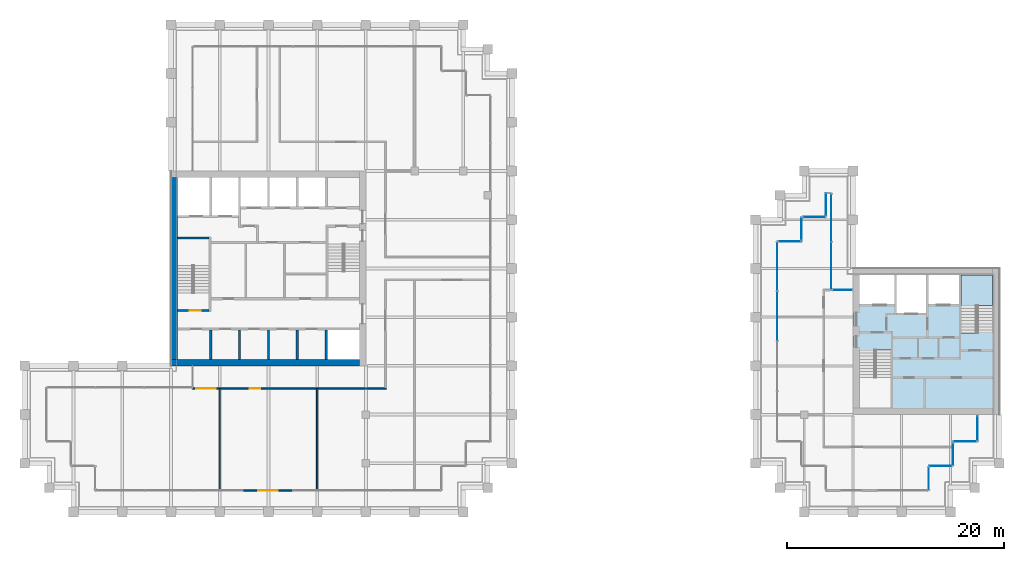
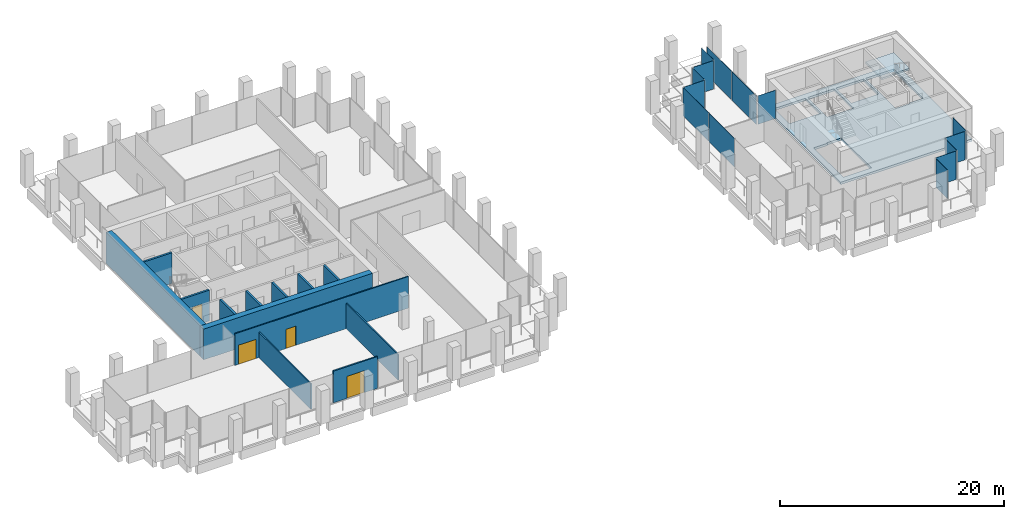
# One storey, part 35 of 40: 14 plates, 13 walls, 4 doors, 2 slabs, 4 openings, 13 elements without a shape of their own.
"""IFC4 building model written with IfcOpenShell, lengths in metres."""

from ifc_helpers import new_model, si_unit, direction, frame, frame_2d, origin, origin_2d, place, context, subcontext, project, spatial, polyline, rectangle, outline, extrude, material, layer, layer_set, type_object, element, fill, aggregate, save


model = new_model("IFC4")

# Units and contexts
model_context = context("Model", 3, precision=1e-05, world=origin(), true_north=direction((0.0, 1.0)))
body_context = subcontext(model_context, "Body", "Model", "MODEL_VIEW")
ifc_project = project(units=[si_unit("LENGTHUNIT", "METRE"), si_unit("AREAUNIT", "SQUARE_METRE"), si_unit("VOLUMEUNIT", "CUBIC_METRE"), si_unit("PLANEANGLEUNIT", "RADIAN"), si_unit("MASSUNIT", "GRAM", prefix="KILO")], contexts=[model_context])

# Site, building, storey
site_placement = place(None, origin())
site = spatial("IfcSite", under=ifc_project, at=site_placement, CompositionType="ELEMENT")
building_placement = place(site_placement, origin())
building = spatial("IfcBuilding", under=site, at=building_placement, Name="Altepetl Exchange Towers", CompositionType="ELEMENT")
storey_placement = place(building_placement, frame((0.0, 0.0, 161.800048828125)))
storey = spatial("IfcBuildingStorey", under=building, at=storey_placement, Name="L40", CompositionType="ELEMENT", Elevation=161.800048828125)

# Slab
ifc_material_1 = material(Name="Concrete C40/50", Category="concrete")
ifc_layer_1 = layer(ifc_material_1, 0.25)
ifc_layer_set_1 = layer_set([ifc_layer_1], Name="Concrete C40/50")
slab_type_1 = type_object("IfcSlabType", Name="Core floor slab 250", PredefinedType="FLOOR", material=ifc_layer_set_1)
slab_1_placement = place(storey_placement, frame((0.0, 0.0, -0.25)))
element("IfcSlab", 1, at=slab_1_placement, inside=storey, type_object=slab_type_1, Name="slab:B:L40:core0", PredefinedType="FLOOR", context=body_context, shape_type="SweptSolid", body=[
    extrude(outline(polyline([(103.5, 36.0), (117.0, 36.0), (117.0, 49.5), (103.5, 49.5), (103.5, 36.0)]), holes=[polyline([(107.0, 36.60009765625), (104.10009765625, 36.60009765625), (104.10009765625, 41.85009765625), (105.5, 41.85009765625), (105.5, 41.948974609375), (107.0, 41.948974609375), (107.0, 36.60009765625)]), polyline([(113.5, 48.89990234375), (116.39990234375, 48.89990234375), (116.39990234375, 43.64990234375), (115.0, 43.64990234375), (115.0, 43.551025390625), (113.5, 43.551025390625), (113.5, 48.89990234375)]), polyline([(107.532958984375, 45.39990234375), (107.532958984375, 48.89990234375), (110.26708984375, 48.89990234375), (110.26708984375, 45.39990234375), (107.532958984375, 45.39990234375)]), polyline([(104.10009765625, 48.89990234375), (107.3330078125, 48.89990234375), (107.3330078125, 46.199951171875), (104.10009765625, 46.199951171875), (104.10009765625, 48.89990234375)]), polyline([(110.467041015625, 48.89990234375), (113.300048828125, 48.89990234375), (113.300048828125, 46.199951171875), (110.467041015625, 46.199951171875), (110.467041015625, 48.89990234375)])]), origin(), (0.0, 0.0, 1.0), 0.25),
])

# Curtain wall, plate
ifc_material_2 = material(Name="Aluminium 6063-T6 glazing", Category="aluminium")
curtain_wall_type = type_object("IfcCurtainWallType", Name="Loggia glazing system", PredefinedType="NOTDEFINED", material=ifc_material_2)
curtain_wall_1_placement = place(storey_placement, origin())
curtain_wall_1 = element("IfcCurtainWall", 2, at=curtain_wall_1_placement, inside=storey, type_object=curtain_wall_type, Name="CW1 run", PredefinedType="NOTDEFINED")
ifc_material_3 = material(Name="Glass 6-16-6 low emissivity", Category="glass")
ifc_layer_2 = layer(ifc_material_3, 0.028076171875)
ifc_layer_set_2 = layer_set([ifc_layer_2], Name="Glass 6-16-6 low emissivity")
plate_type = type_object("IfcPlateType", Name="Glass panel 28 double glazed", PredefinedType="CURTAIN_PANEL", material=ifc_layer_set_2)
plate_1_placement = place(storey_placement, frame((110.5, 30.08740234375, 0.0), z_axis=(0.0, 0.0, 1.0), x_axis=(0.0, 1.0, 0.0)))
plate_1 = element("IfcPlate", 3, at=plate_1_placement, type_object=plate_type, Name="GP1 panel", PredefinedType="CURTAIN_PANEL", context=body_context, shape_type="SweptSolid", body=[
    extrude(rectangle(XDim=2.054931640625, YDim=0.028076171875, at=origin_2d()), origin(), (0.0, 0.0, 1.0), 3.10009765625),
])
aggregate(curtain_wall_1, [plate_1])

curtain_wall_2_placement = place(storey_placement, origin())
curtain_wall_2 = element("IfcCurtainWall", 4, at=curtain_wall_2_placement, inside=storey, type_object=curtain_wall_type, Name="CW1 run", PredefinedType="NOTDEFINED")
plate_2_placement = place(storey_placement, frame((111.58740234375, 31.25, 0.0)))
plate_2 = element("IfcPlate", 5, at=plate_2_placement, type_object=plate_type, Name="GP1 panel", PredefinedType="CURTAIN_PANEL", context=body_context, shape_type="SweptSolid", body=[
    extrude(rectangle(XDim=2.054931640625, YDim=0.028076171875, at=origin_2d()), origin(), (0.0, 0.0, 1.0), 3.10009765625),
])
aggregate(curtain_wall_2, [plate_2])

curtain_wall_3_placement = place(storey_placement, origin())
curtain_wall_3 = element("IfcCurtainWall", 6, at=curtain_wall_3_placement, inside=storey, type_object=curtain_wall_type, Name="CW1 run", PredefinedType="NOTDEFINED")
plate_3_placement = place(storey_placement, frame((112.75, 32.33740234375, 0.0), z_axis=(0.0, 0.0, 1.0), x_axis=(0.0, 1.0, 0.0)))
plate_3 = element("IfcPlate", 7, at=plate_3_placement, type_object=plate_type, Name="GP1 panel", PredefinedType="CURTAIN_PANEL", context=body_context, shape_type="SweptSolid", body=[
    extrude(rectangle(XDim=2.054931640625, YDim=0.028076171875, at=origin_2d()), origin(), (0.0, 0.0, 1.0), 3.10009765625),
])
aggregate(curtain_wall_3, [plate_3])

curtain_wall_4_placement = place(storey_placement, origin())
curtain_wall_4 = element("IfcCurtainWall", 8, at=curtain_wall_4_placement, inside=storey, type_object=curtain_wall_type, Name="CW1 run", PredefinedType="NOTDEFINED")
plate_4_placement = place(storey_placement, frame((113.83740234375, 33.5, 0.0)))
plate_4 = element("IfcPlate", 9, at=plate_4_placement, type_object=plate_type, Name="GP1 panel", PredefinedType="CURTAIN_PANEL", context=body_context, shape_type="SweptSolid", body=[
    extrude(rectangle(XDim=2.054931640625, YDim=0.028076171875, at=origin_2d()), origin(), (0.0, 0.0, 1.0), 3.10009765625),
])
aggregate(curtain_wall_4, [plate_4])

curtain_wall_5_placement = place(storey_placement, origin())
curtain_wall_5 = element("IfcCurtainWall", 10, at=curtain_wall_5_placement, inside=storey, type_object=curtain_wall_type, Name="CW1 run", PredefinedType="NOTDEFINED")
plate_5_placement = place(storey_placement, frame((115.0, 34.71240234375, 0.0), z_axis=(0.0, 0.0, 1.0), x_axis=(0.0, 1.0, 0.0)))
plate_5 = element("IfcPlate", 11, at=plate_5_placement, type_object=plate_type, Name="GP1 panel", PredefinedType="CURTAIN_PANEL", context=body_context, shape_type="SweptSolid", body=[
    extrude(rectangle(XDim=2.304931640625, YDim=0.028076171875, at=origin_2d()), origin(), (0.0, 0.0, 1.0), 3.10009765625),
])
aggregate(curtain_wall_5, [plate_5])

curtain_wall_6_placement = place(storey_placement, origin())
curtain_wall_6 = element("IfcCurtainWall", 12, at=curtain_wall_6_placement, inside=storey, type_object=curtain_wall_type, Name="CW1 run", PredefinedType="NOTDEFINED")
plate_6_placement = place(storey_placement, frame((102.53759765625, 47.5, 0.0), z_axis=(0.0, 0.0, 1.0), x_axis=(-1.0, 0.0, 0.0)))
plate_6 = element("IfcPlate", 13, at=plate_6_placement, type_object=plate_type, Name="GP1 panel", PredefinedType="CURTAIN_PANEL", context=body_context, shape_type="SweptSolid", body=[
    extrude(rectangle(XDim=1.804931640625, YDim=0.028076171875, at=origin_2d()), origin(), (0.0, 0.0, 1.0), 3.10009765625),
])
aggregate(curtain_wall_6, [plate_6])

# Curtain wall, plates
curtain_wall_7_placement = place(storey_placement, origin())
curtain_wall_7 = element("IfcCurtainWall", 14, at=curtain_wall_7_placement, inside=storey, type_object=curtain_wall_type, Name="CW1 run", PredefinedType="NOTDEFINED")
plate_7_placement = place(storey_placement, frame((101.5, 49.746337890625, 0.0), z_axis=(0.0, 0.0, 1.0), x_axis=(0.0, 1.0, 0.0)))
plate_7 = element("IfcPlate", 15, at=plate_7_placement, type_object=plate_type, Name="GP1 panel", PredefinedType="CURTAIN_PANEL", context=body_context, shape_type="SweptSolid", body=[
    extrude(rectangle(XDim=4.37255859375, YDim=0.028076171875, at=origin_2d()), origin(), (0.0, 0.0, 1.0), 3.10009765625),
])
plate_8_placement = place(storey_placement, frame((101.5, 54.1787109375, 0.0), z_axis=(0.0, 0.0, 1.0), x_axis=(0.0, 1.0, 0.0)))
plate_8 = element("IfcPlate", 16, at=plate_8_placement, type_object=plate_type, Name="GP1 panel", PredefinedType="CURTAIN_PANEL", context=body_context, shape_type="SweptSolid", body=[
    extrude(rectangle(XDim=4.37255859375, YDim=0.028076171875, at=origin_2d()), origin(), (0.0, 0.0, 1.0), 3.10009765625),
])
aggregate(curtain_wall_7, [plate_7, plate_8])

# Curtain wall, plate
curtain_wall_8_placement = place(storey_placement, origin())
curtain_wall_8 = element("IfcCurtainWall", 17, at=curtain_wall_8_placement, inside=storey, type_object=curtain_wall_type, Name="CW1 run", PredefinedType="NOTDEFINED")
plate_9_placement = place(storey_placement, frame((101.0, 55.41259765625, 0.0), z_axis=(0.0, 0.0, 1.0), x_axis=(0.0, -1.0, 0.0)))
plate_9 = element("IfcPlate", 18, at=plate_9_placement, type_object=plate_type, Name="GP1 panel", PredefinedType="CURTAIN_PANEL", context=body_context, shape_type="SweptSolid", body=[
    extrude(rectangle(XDim=2.054931640625, YDim=0.028076171875, at=origin_2d()), origin(), (0.0, 0.0, 1.0), 3.10009765625),
])
aggregate(curtain_wall_8, [plate_9])

curtain_wall_9_placement = place(storey_placement, origin())
curtain_wall_9 = element("IfcCurtainWall", 19, at=curtain_wall_9_placement, inside=storey, type_object=curtain_wall_type, Name="CW1 run", PredefinedType="NOTDEFINED")
plate_10_placement = place(storey_placement, frame((99.91259765625, 54.25, 0.0), z_axis=(0.0, 0.0, 1.0), x_axis=(-1.0, 0.0, 0.0)))
plate_10 = element("IfcPlate", 20, at=plate_10_placement, type_object=plate_type, Name="GP1 panel", PredefinedType="CURTAIN_PANEL", context=body_context, shape_type="SweptSolid", body=[
    extrude(rectangle(XDim=2.054931640625, YDim=0.028076171875, at=origin_2d()), origin(), (0.0, 0.0, 1.0), 3.10009765625),
])
aggregate(curtain_wall_9, [plate_10])

curtain_wall_10_placement = place(storey_placement, origin())
curtain_wall_10 = element("IfcCurtainWall", 21, at=curtain_wall_10_placement, inside=storey, type_object=curtain_wall_type, Name="CW1 run", PredefinedType="NOTDEFINED")
plate_11_placement = place(storey_placement, frame((98.75, 53.16259765625, 0.0), z_axis=(0.0, 0.0, 1.0), x_axis=(0.0, -1.0, 0.0)))
plate_11 = element("IfcPlate", 22, at=plate_11_placement, type_object=plate_type, Name="GP1 panel", PredefinedType="CURTAIN_PANEL", context=body_context, shape_type="SweptSolid", body=[
    extrude(rectangle(XDim=2.054931640625, YDim=0.028076171875, at=origin_2d()), origin(), (0.0, 0.0, 1.0), 3.10009765625),
])
aggregate(curtain_wall_10, [plate_11])

curtain_wall_11_placement = place(storey_placement, origin())
curtain_wall_11 = element("IfcCurtainWall", 23, at=curtain_wall_11_placement, inside=storey, type_object=curtain_wall_type, Name="CW1 run", PredefinedType="NOTDEFINED")
plate_12_placement = place(storey_placement, frame((97.66259765625, 52.0, 0.0), z_axis=(0.0, 0.0, 1.0), x_axis=(-1.0, 0.0, 0.0)))
plate_12 = element("IfcPlate", 24, at=plate_12_placement, type_object=plate_type, Name="GP1 panel", PredefinedType="CURTAIN_PANEL", context=body_context, shape_type="SweptSolid", body=[
    extrude(rectangle(XDim=2.054931640625, YDim=0.028076171875, at=origin_2d()), origin(), (0.0, 0.0, 1.0), 3.10009765625),
])
aggregate(curtain_wall_11, [plate_12])

# Curtain wall, plates
curtain_wall_12_placement = place(storey_placement, origin())
curtain_wall_12 = element("IfcCurtainWall", 25, at=curtain_wall_12_placement, inside=storey, type_object=curtain_wall_type, Name="CW1 run", PredefinedType="NOTDEFINED")
plate_13_placement = place(storey_placement, frame((96.5, 49.681884765625, 0.0), z_axis=(0.0, 0.0, 1.0), x_axis=(0.0, -1.0, 0.0)))
plate_13 = element("IfcPlate", 26, at=plate_13_placement, type_object=plate_type, Name="GP1 panel", PredefinedType="CURTAIN_PANEL", context=body_context, shape_type="SweptSolid", body=[
    extrude(rectangle(XDim=4.516357421875, YDim=0.028076171875, at=origin_2d()), origin(), (0.0, 0.0, 1.0), 3.10009765625),
])
plate_14_placement = place(storey_placement, frame((96.5, 45.090576171875, 0.0), z_axis=(0.0, 0.0, 1.0), x_axis=(0.0, -1.0, 0.0)))
plate_14 = element("IfcPlate", 27, at=plate_14_placement, type_object=plate_type, Name="GP1 panel", PredefinedType="CURTAIN_PANEL", context=body_context, shape_type="SweptSolid", body=[
    extrude(rectangle(XDim=4.546142578125, YDim=0.028076171875, at=origin_2d()), origin(), (0.0, 0.0, 1.0), 3.10009765625),
])
aggregate(curtain_wall_12, [plate_13, plate_14])

# Stair, slab
stair_type = type_object("IfcStairType", Name="Exit stair 1400 flights dogleg", PredefinedType="HALF_TURN_STAIR", material=ifc_material_1)
stair_placement = place(storey_placement, origin())
stair = element("IfcStair", 28, at=stair_placement, inside=storey, type_object=stair_type, Name="Exit stair 2", PredefinedType="HALF_TURN_STAIR")
ifc_layer_3 = layer(ifc_material_1, 0.199951171875)
ifc_layer_set_3 = layer_set([ifc_layer_3], Name="Concrete C40/50")
slab_type_2 = type_object("IfcSlabType", Name="Stair landing 200 reinforced concrete", PredefinedType="LANDING", material=ifc_layer_set_3)
slab_2_placement = place(storey_placement, frame((0.0, 0.0, 1.599853515625)))
slab_2 = element("IfcSlab", 29, at=slab_2_placement, type_object=slab_type_2, Name="ST-B2e landing 1", PredefinedType="LANDING", context=body_context, shape_type="SweptSolid", body=[
    extrude(outline(polyline([(114.89990234375, 45.969970703125), (113.5, 45.969970703125), (113.5, 46.070068359375), (113.5, 48.89990234375), (116.39990234375, 48.89990234375), (116.39990234375, 46.070068359375), (116.39990234375, 46.0693359375), (115.0, 46.0693359375), (115.0, 46.070068359375), (114.89990234375, 46.070068359375), (114.89990234375, 45.969970703125)])), origin(), (0.0, 0.0, 1.0), 0.2001953125),
])
aggregate(stair, [slab_2])

# Walls
ifc_material_4 = material(Name="Concrete C70/85", Category="concrete")
ifc_layer_4 = layer(ifc_material_4, 0.60009765625)
ifc_layer_set_4 = layer_set([ifc_layer_4], Name="Concrete C70/85")
wall_type_1 = type_object("IfcWallType", Name="Core wall 600 reinforced concrete", PredefinedType="SHEAR", material=ifc_layer_set_4)
wall_1_placement = place(storey_placement, frame((40.5, 40.800048828125, 0.0)))
element("IfcWall", 30, at=wall_1_placement, inside=storey, type_object=wall_type_1, Name="wall:A:L40:K-coreS", PredefinedType="SHEAR", context=body_context, shape_type="SweptSolid", body=[
    extrude(rectangle(XDim=17.39990234375, YDim=0.60009765625, at=frame_2d((8.699951171875, 0.0))), origin(), (0.0, 0.0, 1.0), 3.349853515625),
])
ifc_layer_5 = layer(ifc_material_4, 0.60009765625)
ifc_layer_set_5 = layer_set([ifc_layer_5], Name="Concrete C70/85")
wall_type_2 = type_object("IfcWallType", Name="Core wall 600 reinforced concrete external", PredefinedType="SHEAR", material=ifc_layer_set_5)
wall_2_placement = place(storey_placement, frame((40.800048828125, 41.10009765625, 0.0), z_axis=(0.0, 0.0, 1.0), x_axis=(0.0, 1.0, 0.0)))
element("IfcWall", 31, at=wall_2_placement, inside=storey, type_object=wall_type_2, Name="wall:A:L40:K-coreW", PredefinedType="SHEAR", context=body_context, shape_type="SweptSolid", body=[
    extrude(rectangle(XDim=16.7998046875, YDim=0.60009765625, at=frame_2d((8.39990234375, 0.0))), origin(), (0.0, 0.0, 1.0), 3.349853515625),
])

# Wall, opening, door
ifc_material_5 = material(Name="Aluminium composite cladding", Category="aluminium")
ifc_layer_6 = layer(ifc_material_5, 0.14990234375)
ifc_layer_set_6 = layer_set([ifc_layer_6], Name="Aluminium composite cladding")
wall_type_3 = type_object("IfcWallType", Name="Infill wall 150 aluminium panel", PredefinedType="SOLIDWALL", material=ifc_layer_set_6)
wall_3_placement = place(storey_placement, frame((47.18212890625, 29.0, 0.0)))
wall_3 = element("IfcWall", 32, at=wall_3_placement, inside=storey, type_object=wall_type_3, Name="Loggia door bay wall", PredefinedType="SOLIDWALL", context=body_context, shape_type="SweptSolid", body=[
    extrude(rectangle(XDim=4.560791015625, YDim=0.14990234375, at=frame_2d((2.2802734375, 0.0))), origin(), (0.0, 0.0, 1.0), 3.449951171875),
])
opening_1_placement = place(wall_3_placement, frame((1.38037109375, 0.0, 0.0)))
opening_1 = element("IfcOpeningElement", 33, at=opening_1_placement, cuts=wall_3, Name="Opening L40.A90", PredefinedType="OPENING", context=body_context, shape_type="SweptSolid", body=[
    extrude(rectangle(XDim=1.800048828125, YDim=2.39990234375, at=frame_2d((0.89990234375, 1.199951171875))), frame((0.0, 0.0849609375, 0.0), z_axis=(0.0, -1.0, 0.0), x_axis=(1.0, 0.0, 0.0)), (0.0, 0.0, 1.0), 0.169921875),
])
ifc_material_6 = material(Name="Aluminium 6063-T6 and glass", Category="aluminium")
door_type_1 = type_object("IfcDoorType", Name="Glazed door pair 1800x2400", OperationType="DOUBLE_DOOR_DOUBLE_SWING", PredefinedType="NOTDEFINED", material=ifc_material_6)
door_1_placement = place(opening_1_placement, frame((1.800048828125, 0.0, 0.0), x_axis=(-1.0, 0.0, 0.0)))
door_1 = element("IfcDoor", 34, at=door_1_placement, inside=storey, type_object=door_type_1, Name="Loggia door", OperationType="DOUBLE_DOOR_DOUBLE_SWING", OverallHeight=2.39990234375, OverallWidth=1.800048828125, PredefinedType="NOTDEFINED", context=body_context, shape_type="SweptSolid", body=[
    extrude(rectangle(XDim=1.800048828125, YDim=2.39990234375, at=frame_2d((0.89990234375, 1.199951171875))), frame((0.0, 0.02490234375, 0.0), z_axis=(0.0, -1.0, 0.0), x_axis=(1.0, 0.0, 0.0)), (0.0, 0.0, 1.0), 0.050048828125),
])
fill(opening_1, door_1)

# Wall, openings, doors
ifc_material_7 = material(Name="Gypsum board on steel studs", Category="steel")
ifc_layer_7 = layer(ifc_material_7, 0.125)
ifc_layer_set_7 = layer_set([ifc_layer_7], Name="Gypsum board on steel studs")
wall_type_4 = type_object("IfcWallType", Name="Partition 125 gypsum board on steel studs", PredefinedType="PARTITIONING", material=ifc_layer_set_7)
wall_4_placement = place(storey_placement, frame((42.5, 38.39990234375, 0.0)))
wall_4 = element("IfcWall", 35, at=wall_4_placement, inside=storey, type_object=wall_type_4, Name="wall:A:L40:P01", PredefinedType="PARTITIONING", context=body_context, shape_type="SweptSolid", body=[
    extrude(rectangle(XDim=17.862548828125, YDim=0.125, at=frame_2d((8.93115234375, 0.0))), origin(), (0.0, 0.0, 1.0), 3.449951171875),
])
opening_2_placement = place(wall_4_placement, frame((0.35009765625, 0.0, 0.0)))
opening_2 = element("IfcOpeningElement", 36, at=opening_2_placement, cuts=wall_4, Name="Opening L40.A01", PredefinedType="OPENING", context=body_context, shape_type="SweptSolid", body=[
    extrude(rectangle(XDim=1.800048828125, YDim=2.10009765625, at=frame_2d((0.89990234375, 1.050048828125))), frame((0.0, 0.072509765625, 0.0), z_axis=(0.0, -1.0, 0.0), x_axis=(1.0, 0.0, 0.0)), (0.0, 0.0, 1.0), 0.14501953125),
])
opening_3_placement = place(wall_4_placement, frame((5.258056640625, 0.0, 0.0)))
opening_3 = element("IfcOpeningElement", 37, at=opening_3_placement, cuts=wall_4, Name="Opening L40.A02", PredefinedType="OPENING", context=body_context, shape_type="SweptSolid", body=[
    extrude(rectangle(XDim=1.0, YDim=2.10009765625, at=frame_2d((0.5, 1.050048828125))), frame((0.0, 0.072509765625, 0.0), z_axis=(0.0, -1.0, 0.0), x_axis=(1.0, 0.0, 0.0)), (0.0, 0.0, 1.0), 0.14501953125),
])
ifc_material_8 = material(Name="Steel and timber fire door", Category="steel")
door_type_2 = type_object("IfcDoorType", Name="Fire door 1000 x 2100 single leaf", OperationType="SINGLE_SWING_LEFT", PredefinedType="DOOR", material=ifc_material_8)
door_2_placement = place(opening_3_placement, frame((1.0, 0.0, 0.0), x_axis=(-1.0, 0.0, 0.0)))
door_2 = element("IfcDoor", 38, at=door_2_placement, inside=storey, type_object=door_type_2, Name="door:A:L40:02", OperationType="SINGLE_SWING_RIGHT", OverallHeight=2.10009765625, OverallWidth=1.0, PredefinedType="DOOR", context=body_context, shape_type="SweptSolid", body=[
    extrude(rectangle(XDim=1.0, YDim=2.10009765625, at=frame_2d((0.5, 1.050048828125))), frame((0.0, 0.02490234375, 0.0), z_axis=(0.0, -1.0, 0.0), x_axis=(1.0, 0.0, 0.0)), (0.0, 0.0, 1.0), 0.050048828125),
])
fill(opening_3, door_2)
door_type_3 = type_object("IfcDoorType", Name="Fire door 1800 x 2100 double leaf", OperationType="DOUBLE_DOOR_SINGLE_SWING", PredefinedType="DOOR", material=ifc_material_8)
door_3_placement = place(opening_2_placement, frame((1.800048828125, 0.0, 0.0), x_axis=(-1.0, 0.0, 0.0)))
door_3 = element("IfcDoor", 39, at=door_3_placement, inside=storey, type_object=door_type_3, Name="door:A:L40:01", OperationType="DOUBLE_DOOR_SINGLE_SWING", OverallHeight=2.10009765625, OverallWidth=1.800048828125, PredefinedType="DOOR", context=body_context, shape_type="SweptSolid", body=[
    extrude(rectangle(XDim=1.800048828125, YDim=2.10009765625, at=frame_2d((0.89990234375, 1.050048828125))), frame((0.0, 0.02490234375, 0.0), z_axis=(0.0, -1.0, 0.0), x_axis=(1.0, 0.0, 0.0)), (0.0, 0.0, 1.0), 0.050048828125),
])
fill(opening_2, door_3)

# Walls
for number, where, z_axis, x_axis, name in (
    (40, (45.0, 29.10009765625, 0.0), (0.0, 0.0, 1.0), (0.0, 1.0, 0.0), "wall:A:L40:P07"),
    (41, (54.0, 29.10009765625, 0.0), (0.0, 0.0, 1.0), (0.0, 1.0, 0.0), "wall:A:L40:P10"),
):
    element("IfcWall", number, at=place(storey_placement, frame(where, z_axis=z_axis, x_axis=x_axis)), inside=storey, type_object=wall_type_4, Name=name, PredefinedType="PARTITIONING", context=body_context, shape_type="SweptSolid", body=[
        extrude(rectangle(XDim=9.2998046875, YDim=0.125, at=frame_2d((4.64990234375, 0.0))), origin(), (0.0, 0.0, 1.0), 2.765869140625),
    ])
ifc_layer_8 = layer(ifc_material_1, 0.199951171875)
ifc_layer_set_8 = layer_set([ifc_layer_8], Name="Concrete C40/50")
wall_type_5 = type_object("IfcWallType", Name="Shaft wall 200 reinforced concrete", PredefinedType="SHEAR", material=ifc_layer_set_8)
wall_5_placement = place(storey_placement, frame((54.833251953125, 41.10009765625, 0.0), z_axis=(0.0, 0.0, 1.0), x_axis=(0.0, 1.0, 0.0)))
element("IfcWall", 42, at=wall_5_placement, inside=storey, type_object=wall_type_5, Name="wall:A:L40:K-divS5", PredefinedType="SHEAR", context=body_context, shape_type="SweptSolid", body=[
    extrude(rectangle(XDim=2.699951171875, YDim=0.199951171875, at=frame_2d((1.35009765625, 0.0))), origin(), (0.0, 0.0, 1.0), 3.349853515625),
])
ifc_layer_9 = layer(ifc_material_4, 0.199951171875)
ifc_layer_set_9 = layer_set([ifc_layer_9], Name="Concrete C70/85")
wall_type_6 = type_object("IfcWallType", Name="Shear wall 200 reinforced concrete", PredefinedType="SHEAR", material=ifc_layer_set_9)
for number, where, z_axis, x_axis, name in (
    (43, (44.166748046875, 41.10009765625, 0.0), (0.0, 0.0, 1.0), (0.0, 1.0, 0.0), "wall:A:L40:K-divS1"),
    (44, (46.833251953125, 41.10009765625, 0.0), (0.0, 0.0, 1.0), (0.0, 1.0, 0.0), "wall:A:L40:K-divS2"),
    (45, (49.5, 41.10009765625, 0.0), (0.0, 0.0, 1.0), (0.0, 1.0, 0.0), "wall:A:L40:K-divS3"),
    (46, (52.166748046875, 41.10009765625, 0.0), (0.0, 0.0, 1.0), (0.0, 1.0, 0.0), "wall:A:L40:K-divS4"),
):
    element("IfcWall", number, at=place(storey_placement, frame(where, z_axis=z_axis, x_axis=x_axis)), inside=storey, type_object=wall_type_6, Name=name, PredefinedType="SHEAR", context=body_context, shape_type="SweptSolid", body=[
        extrude(rectangle(XDim=2.699951171875, YDim=0.199951171875, at=frame_2d((1.35009765625, 0.0))), origin(), (0.0, 0.0, 1.0), 3.349853515625),
    ])
ifc_layer_10 = layer(ifc_material_1, 0.199951171875)
ifc_layer_set_10 = layer_set([ifc_layer_10], Name="Concrete C40/50")
wall_type_7 = type_object("IfcWallType", Name="Stair wall 200 reinforced concrete", PredefinedType="SHEAR", material=ifc_layer_set_10)
wall_6_placement = place(storey_placement, frame((41.10009765625, 52.300048828125, 0.0)))
element("IfcWall", 47, at=wall_6_placement, inside=storey, type_object=wall_type_7, Name="wall:A:L40:K-stS1N", PredefinedType="SHEAR", context=body_context, shape_type="SweptSolid", body=[
    extrude(rectangle(XDim=2.89990234375, YDim=0.199951171875, at=frame_2d((1.449951171875, 0.0))), origin(), (0.0, 0.0, 1.0), 3.349853515625),
])

# Wall, opening, door
wall_7_placement = place(storey_placement, frame((41.10009765625, 45.60009765625, 0.0)))
wall_7 = element("IfcWall", 48, at=wall_7_placement, inside=storey, type_object=wall_type_7, Name="wall:A:L40:K-stS1S", PredefinedType="SHEAR", context=body_context, shape_type="SweptSolid", body=[
    extrude(rectangle(XDim=2.89990234375, YDim=0.199951171875, at=frame_2d((1.449951171875, 0.0))), origin(), (0.0, 0.0, 1.0), 3.349853515625),
])
opening_4_placement = place(wall_7_placement, frame((1.14990234375, 0.0, 0.0)))
opening_4 = element("IfcOpeningElement", 49, at=opening_4_placement, cuts=wall_7, Name="Opening L40.A62", PredefinedType="OPENING", context=body_context, shape_type="SweptSolid", body=[
    extrude(rectangle(XDim=1.0, YDim=2.10009765625, at=frame_2d((0.5, 1.050048828125))), frame((0.0, 0.10986328125, 0.0), z_axis=(0.0, -1.0, 0.0), x_axis=(1.0, 0.0, 0.0)), (0.0, 0.0, 1.0), 0.219970703125),
])
door_type_4 = type_object("IfcDoorType", Name="Fire door 1000 x 2100 stair and lobby", OperationType="SINGLE_SWING_LEFT", PredefinedType="DOOR", material=ifc_material_8)
door_4_placement = place(opening_4_placement, origin())
door_4 = element("IfcDoor", 50, at=door_4_placement, inside=storey, type_object=door_type_4, Name="door:A:L40:K-dS1in", OperationType="SINGLE_SWING_RIGHT", OverallHeight=2.10009765625, OverallWidth=1.0, PredefinedType="DOOR", context=body_context, shape_type="SweptSolid", body=[
    extrude(rectangle(XDim=1.0, YDim=2.10009765625, at=frame_2d((0.5, 1.050048828125))), frame((0.0, 0.02490234375, 0.0), z_axis=(0.0, -1.0, 0.0), x_axis=(1.0, 0.0, 0.0)), (0.0, 0.0, 1.0), 0.050048828125),
])
fill(opening_4, door_4)

save(model, "model.ifc")
